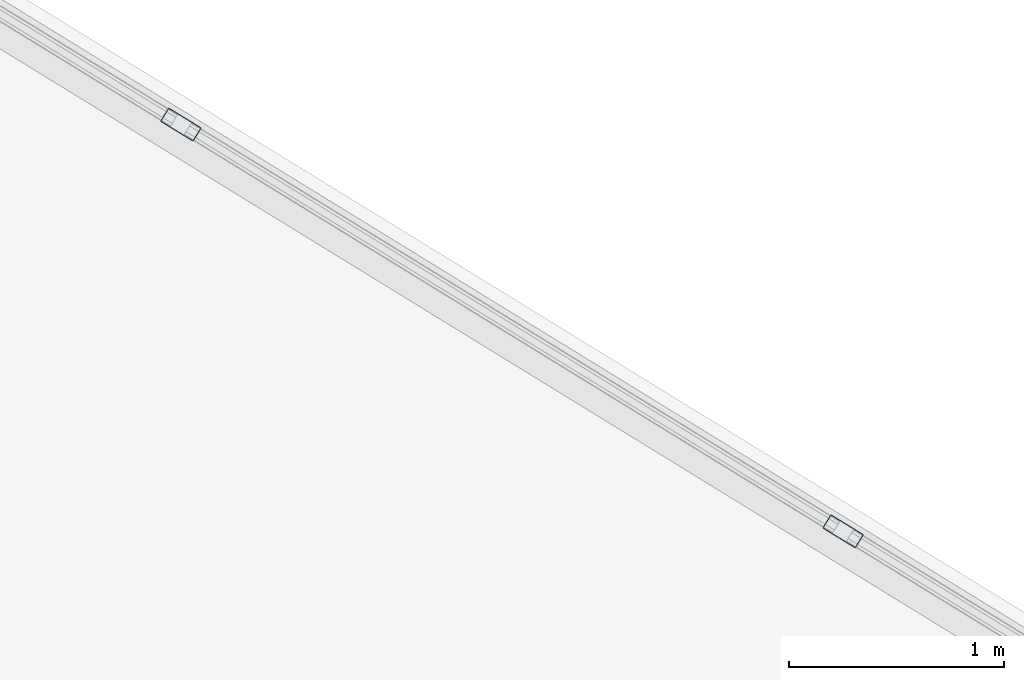
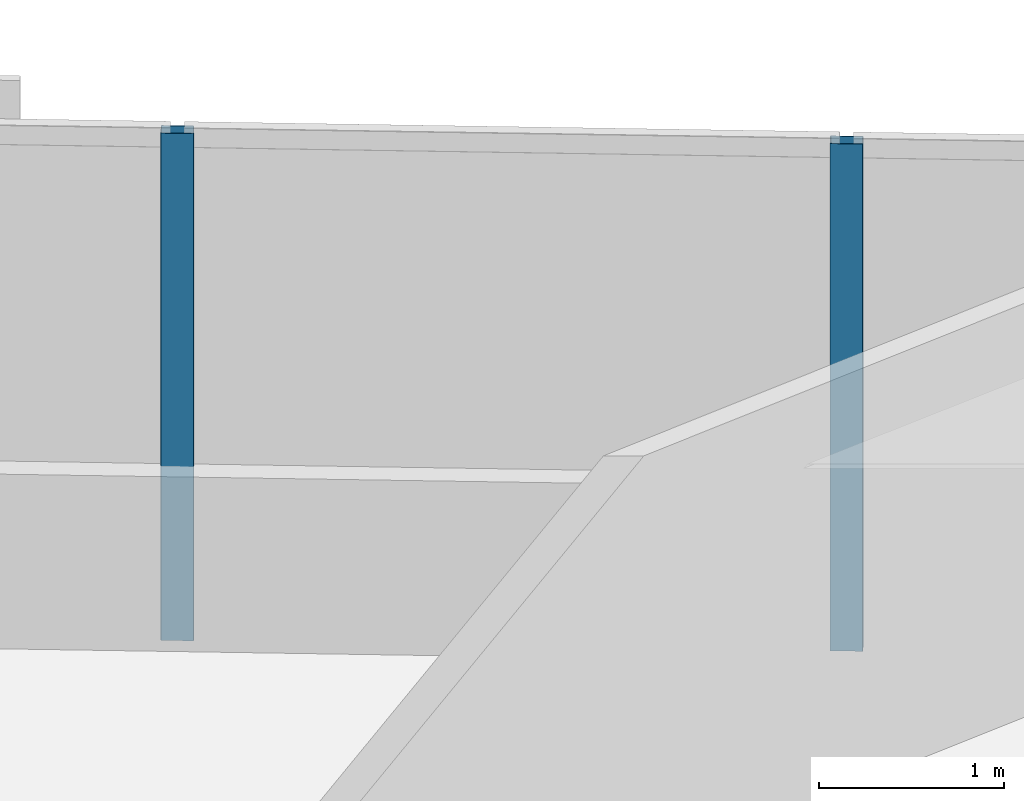
# One storey, part 8 of 18: 2 members, 1 element without a shape of its own.
"""IFC4 building model written with IfcOpenShell, lengths in metres."""

from ifc_helpers import new_model, si_unit, direction, frame, origin, origin_2d, place, context, subcontext, project, spatial, hollow_rectangle, extrude, material, material_profile, profile_set, type_object, element, aggregate, save


model = new_model("IFC4")

# Units and contexts
model_context = context("Model", 3, precision=1e-05, world=origin(), true_north=direction((0.0, 1.0)))
body_context = subcontext(model_context, "Body", "Model", "MODEL_VIEW")
ifc_project = project(units=[si_unit("LENGTHUNIT", "METRE"), si_unit("AREAUNIT", "SQUARE_METRE"), si_unit("VOLUMEUNIT", "CUBIC_METRE"), si_unit("PLANEANGLEUNIT", "RADIAN"), si_unit("MASSUNIT", "GRAM", prefix="KILO")], contexts=[model_context])

# Site, building, storey
site_placement = place(None, origin())
site = spatial("IfcSite", under=ifc_project, at=site_placement, CompositionType="ELEMENT")
building_placement = place(site_placement, origin())
building = spatial("IfcBuilding", under=site, at=building_placement, Name="Narakoshi Arena Tower", CompositionType="ELEMENT")
storey_placement = place(building_placement, frame((0.0, 0.0, 120.89990234375)))
storey = spatial("IfcBuildingStorey", under=building, at=storey_placement, Name="L32", CompositionType="ELEMENT", Elevation=120.89990234375)

# Curtain wall, members
ifc_material = material(Name="Anodised bronze aluminium 6063-T6", Category="aluminium")
curtain_wall_type = type_object("IfcCurtainWallType", Name="CW-HYP-LOW", PredefinedType="NOTDEFINED", material=ifc_material)
curtain_wall_placement = place(storey_placement, origin())
curtain_wall = element("IfcCurtainWall", 1, at=curtain_wall_placement, inside=storey, type_object=curtain_wall_type, Name="L32 Folded Hypotenuse Curtain Wall 1-1", PredefinedType="NOTDEFINED")
ifc_material_profile = material_profile(ifc_material, hollow_rectangle(XDim=0.074951171875, YDim=0.179931640625, WallThickness=0.00390625, OuterFilletRadius=0.0048828125, at=origin_2d()), Name="MUL180x75x4")
ifc_profile_set = profile_set([ifc_material_profile], Name="Anodised bronze aluminium 6063-T6")
member_type = type_object("IfcMemberType", Name="MEM-MUL-180", PredefinedType="MULLION", material=ifc_profile_set)
member_1_placement = place(storey_placement, frame((109.9638671875, 49.1982421875, 0.0), z_axis=(0.0, 0.0, 1.0), x_axis=(-0.523357676535, -0.852113104237, 0.0)))
member_1 = element("IfcMember", 2, at=member_1_placement, type_object=member_type, Name="CW-01 mullion 4", PredefinedType="MULLION", context=body_context, shape_type="SweptSolid", body=[
    extrude(hollow_rectangle(XDim=0.074951171875, YDim=0.179931640625, WallThickness=0.00390625, OuterFilletRadius=0.0048828125, at=origin_2d()), origin(), (0.0, 0.0, 1.0), 3.340087890625),
])
member_2_placement = place(storey_placement, frame((106.886962890625, 51.088134765625, 0.0), z_axis=(0.0, 0.0, 1.0), x_axis=(-0.523357676535, -0.852113104237, 0.0)))
member_2 = element("IfcMember", 3, at=member_2_placement, type_object=member_type, Name="CW-01 mullion 5", PredefinedType="MULLION", context=body_context, shape_type="SweptSolid", body=[
    extrude(hollow_rectangle(XDim=0.074951171875, YDim=0.179931640625, WallThickness=0.00390625, OuterFilletRadius=0.0048828125, at=origin_2d()), origin(), (0.0, 0.0, 1.0), 3.340087890625),
])
aggregate(curtain_wall, [member_1, member_2])

save(model, "model.ifc")
